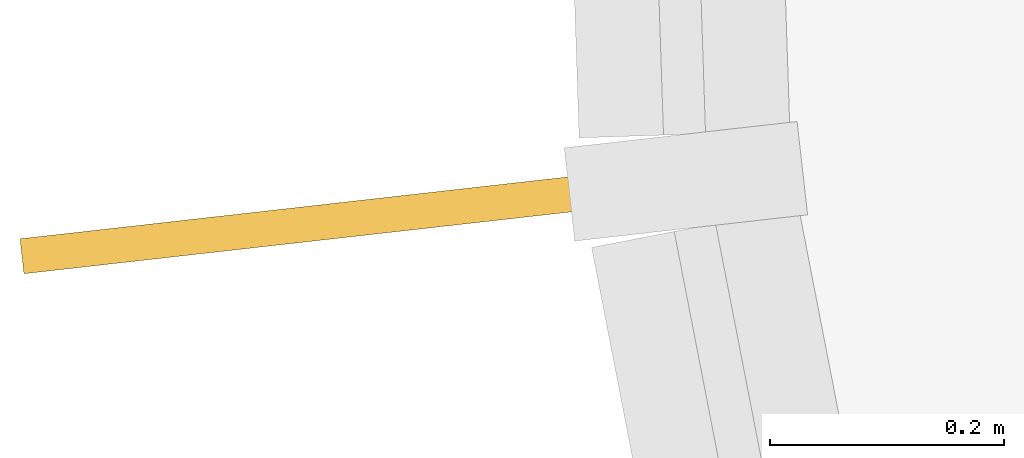
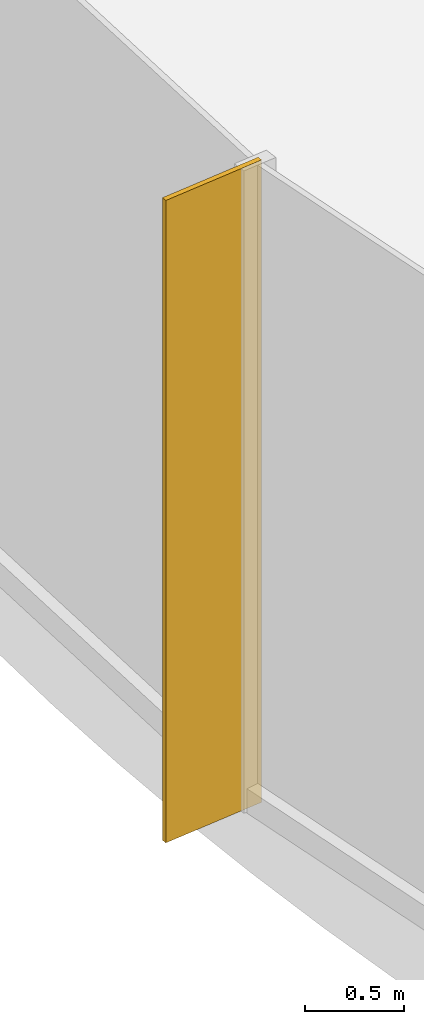
# One storey, part 17 of 19: 1 shading device.
"""IFC4 building model written with IfcOpenShell, lengths in metres."""

import ifcopenshell
import ifcopenshell.guid

model = None  # the IFC model being written
_history = None  # IfcOwnerHistory: only IFC2X3 demands one
_inside = {}  # id of a spatial element -> (the spatial element, [elements in it])
_under = {}  # id of a project, library or spatial element -> (it, [spatial elements below it])
_declared = {}  # id of a project -> (the project, [libraries it declares])
_typed = {}  # id of a type object -> (the type object, [elements of that type])
_made_of = {}  # id of a material, layer set ... -> (it, [elements and type objects made of it])


def new_model(schema):
    """Start an empty IFC model of exactly this schema.

    Asked for "IFC4X3", IfcOpenShell would pick the latest addendum, in which some entities
    have other attributes; the version numbers below select the first issue.
    IFC2X3 requires an IfcOwnerHistory on every rooted entity: one is made here for all.
    """
    global model, _history
    if schema == "IFC4X3":
        model = ifcopenshell.file(schema_version=(4, 3, 0, 0))
    else:
        model = ifcopenshell.file(schema=schema)
    _inside.clear()
    _under.clear()
    _declared.clear()
    _typed.clear()
    _made_of.clear()
    _history = None
    if model.schema == "IFC2X3":
        org = make("IfcOrganization", Name="unknown")
        user = make(
            "IfcPersonAndOrganization",
            ThePerson=make("IfcPerson", FamilyName="unknown"),
            TheOrganization=org,
        )
        app = make(
            "IfcApplication",
            ApplicationDeveloper=org,
            Version="unknown",
            ApplicationFullName="unknown",
            ApplicationIdentifier="unknown",
        )
        _history = make(
            "IfcOwnerHistory",
            OwningUser=user,
            OwningApplication=app,
            ChangeAction="ADDED",
            CreationDate=0,
        )
    return model


def make(cls, **values):
    """One entity of the class cls with the attributes given. An attribute that is None is left unset."""
    return model.create_entity(
        cls, **{name: value for name, value in values.items() if value is not None}
    )


def rooted(cls, **values):
    """An entity with a GlobalId (a new one), such as an element, a storey or a relation."""
    return make(cls, GlobalId=ifcopenshell.guid.new(), OwnerHistory=_history, **values)


def si_unit(unit_type, name, prefix=None):
    """IfcSIUnit, for example si_unit("LENGTHUNIT", "METRE", prefix="MILLI")."""
    return make("IfcSIUnit", UnitType=unit_type, Prefix=prefix, Name=name)


def assignment(units):
    """IfcUnitAssignment: the units of a project."""
    return None if units is None else make("IfcUnitAssignment", Units=units)


def point(xyz):
    """IfcCartesianPoint."""
    return None if xyz is None else make("IfcCartesianPoint", Coordinates=xyz)


def direction(xyz):
    """IfcDirection."""
    return None if xyz is None else make("IfcDirection", DirectionRatios=xyz)


def frame(location, z_axis=None, x_axis=None):
    """IfcAxis2Placement3D, a coordinate frame: its origin and axes. An axis left out is left unset."""
    return make(
        "IfcAxis2Placement3D",
        Location=point(location),
        Axis=direction(z_axis),
        RefDirection=direction(x_axis),
    )


def frame_2d(location, x_axis=None):
    """IfcAxis2Placement2D, a coordinate frame in the plane: its origin and x axis."""
    return make(
        "IfcAxis2Placement2D", Location=point(location), RefDirection=direction(x_axis)
    )


def origin():
    """The frame at (0, 0, 0) with its axes left unset."""
    return frame((0.0, 0.0, 0.0))


def origin_2d():
    """The frame at (0, 0) in the plane with its x axis left unset."""
    return frame_2d((0.0, 0.0))


def place(relative_to, where):
    """IfcLocalPlacement: puts the frame where relative to a parent placement (None: the world)."""
    return make(
        "IfcLocalPlacement", PlacementRelTo=relative_to, RelativePlacement=where
    )


def context(
    kind, dimensions, precision=None, world=None, true_north=None, identifier=None
):
    """IfcGeometricRepresentationContext, for example the 3D "Model" context."""
    return make(
        "IfcGeometricRepresentationContext",
        ContextIdentifier=identifier,
        ContextType=kind,
        CoordinateSpaceDimension=dimensions,
        Precision=precision,
        WorldCoordinateSystem=world,
        TrueNorth=true_north,
    )


def subcontext(parent, identifier, kind, view, scale=None):
    """IfcGeometricRepresentationSubContext, for example "Body" below "Model"."""
    return make(
        "IfcGeometricRepresentationSubContext",
        ContextIdentifier=identifier,
        ContextType=kind,
        ParentContext=parent,
        TargetScale=scale,
        TargetView=view,
    )


def project(units=None, contexts=None):
    """IfcProject with its units and contexts."""
    return rooted(
        "IfcProject",
        Name="project",
        RepresentationContexts=contexts,
        UnitsInContext=assignment(units),
    )


def spatial(cls, under=None, at=None, **own):
    """A site, building, storey or space (cls), placed at a placement, below another one or the project."""
    s = rooted(cls, ObjectPlacement=at, **own)
    if under is not None:
        _under.setdefault(under.id(), (under, []))[1].append(s)
    return s


def profile(cls, at=None, kind="AREA", **sizes):
    """A parametric profile (cls). Its sizes go by their IFC names, for example OverallWidth=200.0."""
    return make(cls, ProfileType=kind, Position=at, **sizes)


def rectangle(**sizes):
    """IfcRectangleProfileDef."""
    return profile("IfcRectangleProfileDef", **sizes)


def extrude(swept, where, along, depth):
    """IfcExtrudedAreaSolid: the profile swept, set in the frame where, extruded along a direction by depth."""
    return make(
        "IfcExtrudedAreaSolid",
        SweptArea=swept,
        Position=where,
        ExtrudedDirection=direction(along),
        Depth=depth,
    )


def shape(context_of_items, identifier, shape_type, items):
    """IfcShapeRepresentation: the items that make up one representation, for example the "Body"."""
    return make(
        "IfcShapeRepresentation",
        ContextOfItems=context_of_items,
        RepresentationIdentifier=identifier,
        RepresentationType=shape_type,
        Items=items,
    )


def source(mapping_origin, context_of_items, identifier, shape_type, items):
    """IfcRepresentationMap: a shape defined once, which mapped items show again and again."""
    return make(
        "IfcRepresentationMap",
        MappingOrigin=mapping_origin,
        MappedRepresentation=shape(context_of_items, identifier, shape_type, items),
    )


def transform(
    local_origin,
    x_axis=None,
    y_axis=None,
    z_axis=None,
    scale=None,
    scale2=None,
    scale3=None,
    uniform=True,
):
    """IfcCartesianTransformationOperator3D, or its non-uniform kind. x_axis, y_axis, z_axis: its Axis1, 2, 3."""
    if uniform:
        return make(
            "IfcCartesianTransformationOperator3D",
            Axis1=direction(x_axis),
            Axis2=direction(y_axis),
            LocalOrigin=point(local_origin),
            Scale=scale,
            Axis3=direction(z_axis),
        )
    return make(
        "IfcCartesianTransformationOperator3DnonUniform",
        Axis1=direction(x_axis),
        Axis2=direction(y_axis),
        LocalOrigin=point(local_origin),
        Scale=scale,
        Axis3=direction(z_axis),
        Scale2=scale2,
        Scale3=scale3,
    )


def mapped(mapping_source, mapping_target):
    """IfcMappedItem: shows the shape of a source again, moved by a transform."""
    return make(
        "IfcMappedItem", MappingSource=mapping_source, MappingTarget=mapping_target
    )


def material(Name=None, Category=None):
    """IfcMaterial."""
    return make("IfcMaterial", Name=Name, Category=Category)


def material_profile(
    of_material, cross_section, Name=None, Category=None, Priority=None
):
    """IfcMaterialProfile: a cross section and its material."""
    return make(
        "IfcMaterialProfile",
        Name=Name,
        Material=of_material,
        Profile=cross_section,
        Priority=Priority,
        Category=Category,
    )


def profile_set(profiles, Name=None, composite=None):
    """IfcMaterialProfileSet."""
    return make(
        "IfcMaterialProfileSet",
        Name=Name,
        MaterialProfiles=profiles,
        CompositeProfile=composite,
    )


def made_of(thing, what):
    """Note that an element or type object is made of a material, layer set ...; save() writes the relation."""
    if what is not None:
        _made_of.setdefault(what.id(), (what, []))[1].append(thing)
    return thing


def type_object(cls, material=None, **own):
    """A type object (cls), such as IfcWallType, which elements share."""
    return made_of(rooted(cls, **own), material)


def element(
    cls,
    number,
    at=None,
    inside=None,
    cuts=None,
    type_object=None,
    material=None,
    context=None,
    identifier="Body",
    shape_type=None,
    held_by="IfcProductDefinitionShape",
    body=None,
    shapes=None,
    **own,
):
    """One element of the class cls, such as IfcWall. Its Tag is "e" and its number.

    at: its placement. inside: the storey or other place that contains it. cuts: it is an
    opening in that element (IfcRelVoidsElement). A single representation is given by context,
    identifier, shape_type and body (its items); several are given by shapes. held_by: the class
    of the entity that holds the representations. save() writes the other relations.
    """
    e = rooted(cls, Tag="e%d" % number, ObjectPlacement=at, **own)
    if body is not None:
        shapes = [shape(context, identifier, shape_type, body)]
    if shapes is not None:
        e.Representation = make(held_by, Representations=shapes)
    if inside is not None:
        _inside.setdefault(inside.id(), (inside, []))[1].append(e)
    if cuts is not None:
        rooted(
            "IfcRelVoidsElement", RelatingBuildingElement=cuts, RelatedOpeningElement=e
        )
    if type_object is not None:
        _typed.setdefault(type_object.id(), (type_object, []))[1].append(e)
    return made_of(e, material)


def aggregate(whole, parts):
    """IfcRelAggregates: a whole, such as a stair, and the parts it consists of."""
    return rooted("IfcRelAggregates", RelatingObject=whole, RelatedObjects=parts)


def save(model, path):
    """Write the relations noted so far, then the file.

    IfcRelAggregates (storeys below a building ...), IfcRelContainedInSpatialStructure (elements
    in a storey), IfcRelDefinesByType, IfcRelAssociatesMaterial and IfcRelDeclares: one each for
    every whole, place, type object, material and project.
    """
    for whole, parts in _under.values():
        aggregate(whole, parts)
    for where, things in _inside.values():
        rooted(
            "IfcRelContainedInSpatialStructure",
            RelatedElements=things,
            RelatingStructure=where,
        )
    for kind, things in _typed.values():
        rooted("IfcRelDefinesByType", RelatedObjects=things, RelatingType=kind)
    for what, things in _made_of.values():
        rooted("IfcRelAssociatesMaterial", RelatedObjects=things, RelatingMaterial=what)
    for by, libraries in _declared.values():
        rooted("IfcRelDeclares", RelatingContext=by, RelatedDefinitions=libraries)
    model.write(path)


model = new_model("IFC4")

# Units and contexts
model_context = context("Model", 3, precision=1e-05, world=origin(), true_north=direction((0.0, 1.0)))
body_context = subcontext(model_context, "Body", "Model", "MODEL_VIEW")
ifc_project = project(units=[si_unit("LENGTHUNIT", "METRE"), si_unit("AREAUNIT", "SQUARE_METRE"), si_unit("VOLUMEUNIT", "CUBIC_METRE"), si_unit("PLANEANGLEUNIT", "RADIAN"), si_unit("MASSUNIT", "GRAM", prefix="KILO")], contexts=[model_context])

# Site, building, storey
site_placement = place(None, origin())
site = spatial("IfcSite", under=ifc_project, at=site_placement, CompositionType="ELEMENT")
building_placement = place(site_placement, origin())
building = spatial("IfcBuilding", under=site, at=building_placement, Name="Spindrift Exchange Tower", CompositionType="ELEMENT")
storey_placement = place(building_placement, frame((0.0, 0.0, 27.0)))
storey = spatial("IfcBuildingStorey", under=building, at=storey_placement, Name="L06", CompositionType="ELEMENT", Elevation=27.0)

# Shading device
ifc_material = material(Name="Bronze anodised aluminium", Category="aluminium")
ifc_material_profile = material_profile(ifc_material, rectangle(XDim=0.030029296875, YDim=0.60009765625, at=origin_2d()), Name="WIND FIN 30X600")
ifc_profile_set = profile_set([ifc_material_profile], Name="Bronze anodised aluminium")
shading_device_type = type_object("IfcShadingDeviceType", Name="WIND FIN 30X600", PredefinedType="USERDEFINED", material=ifc_profile_set)
shared_shape = source(origin(), body_context, "Body", "SweptSolid", [
    extrude(rectangle(XDim=0.030029296875, YDim=0.60009765625, at=origin_2d()), origin(), (0.0, 0.0, 1.0), 3.949951171875),
])
shading_device_placement = place(storey_placement, frame((13.534912109375, 44.892822265625, 0.0), z_axis=(0.0, 0.0, 1.0), x_axis=(0.112273681396, -0.993677322105, 0.0)))
element("IfcShadingDevice", 1, at=shading_device_placement, inside=storey, type_object=shading_device_type, Name="L06 wind fin 1", ObjectType="FIN", PredefinedType="USERDEFINED", context=body_context, shape_type="MappedRepresentation", body=[
    mapped(shared_shape, transform((0.0, 0.0, 0.0), scale=1.0)),
])

save(model, "model.ifc")
